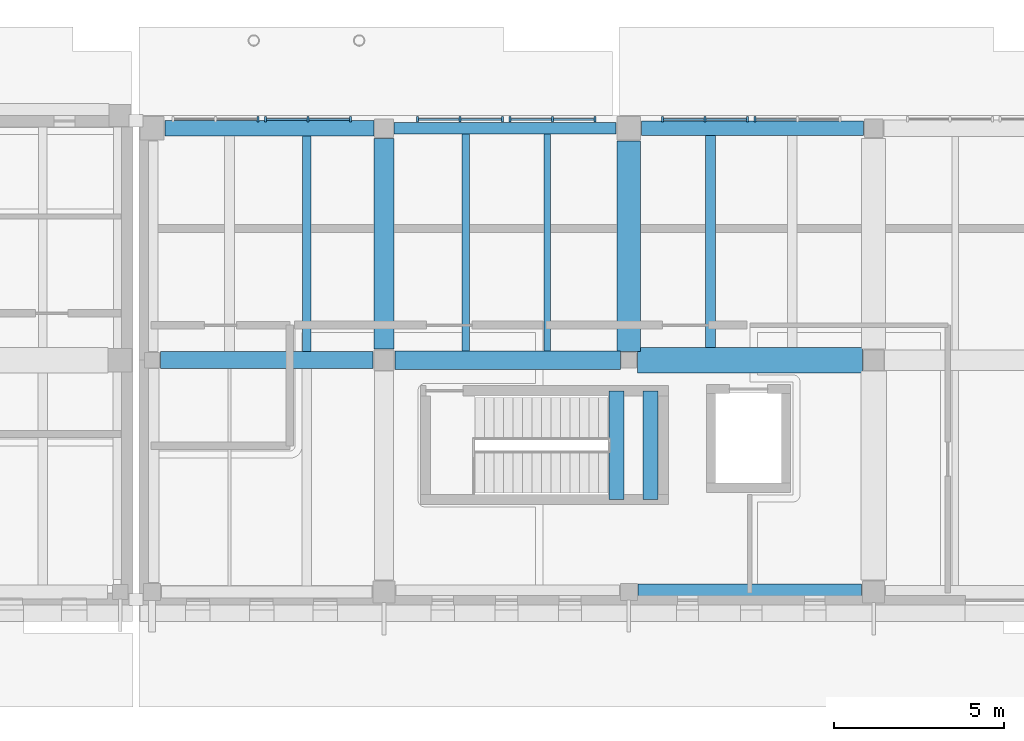
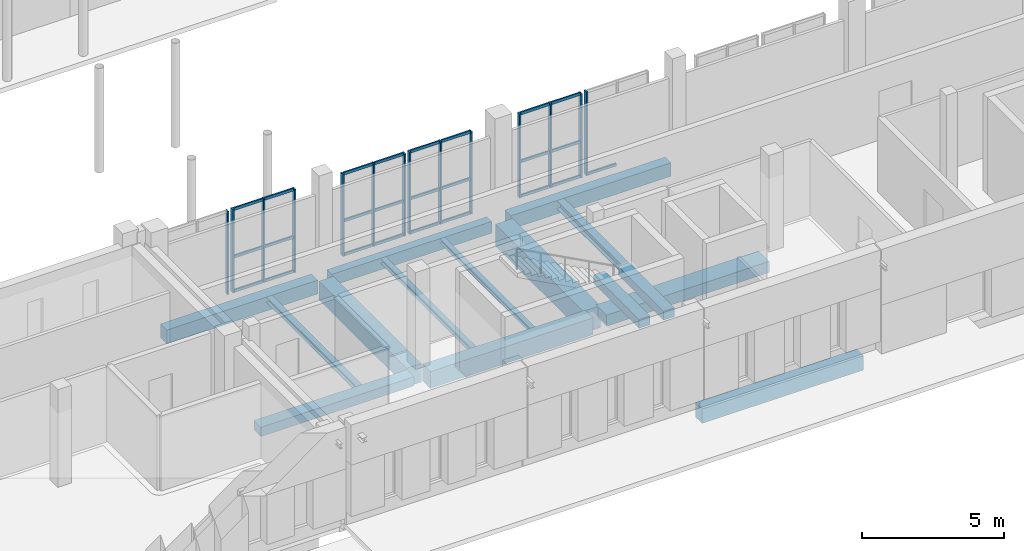
# One storey, part 10 of 77: 39 members, 15 beams, 6 elements without a shape of their own.
"""IFC4 building model written with IfcOpenShell, lengths in metres."""

from ifc_helpers import new_model, si_unit, direction, frame, origin, origin_2d, place, context, subcontext, project, spatial, rectangle, i_section, extrude, material, layer, layer_set, material_profile, profile_set, type_object, element, aggregate, save


model = new_model("IFC4")

# Units and contexts
model_context = context("Model", 3, precision=1e-05, world=origin(), true_north=direction((0.0, 1.0)))
body_context = subcontext(model_context, "Body", "Model", "MODEL_VIEW")
ifc_project = project(units=[si_unit("LENGTHUNIT", "METRE"), si_unit("AREAUNIT", "SQUARE_METRE"), si_unit("VOLUMEUNIT", "CUBIC_METRE"), si_unit("PLANEANGLEUNIT", "RADIAN"), si_unit("MASSUNIT", "GRAM", prefix="KILO")], contexts=[model_context])

# Site, building, storey
site_placement = place(None, origin())
site = spatial("IfcSite", under=ifc_project, at=site_placement, CompositionType="ELEMENT")
building_placement = place(site_placement, origin())
building = spatial("IfcBuilding", under=site, at=building_placement, Name="Vardoun Plaza Health Centre", CompositionType="ELEMENT")
storey_placement = place(building_placement, origin())
storey = spatial("IfcBuildingStorey", under=building, at=storey_placement, Name="L00", CompositionType="ELEMENT", Elevation=0.0)

# Beams
ifc_material_1 = material(Name="Concrete C35/45", Category="concrete")
ifc_material_profile_1 = material_profile(ifc_material_1, rectangle(XDim=0.35009765625, YDim=0.5, at=origin_2d()), Name="RC-BM 350x500")
ifc_profile_set_1 = profile_set([ifc_material_profile_1], Name="Concrete C35/45")
beam_type_1 = type_object("IfcBeamType", Name="B-08", PredefinedType="SPANDREL", material=ifc_profile_set_1)
beam_1_placement = place(storey_placement, frame((55.3798828125, 18.52001953125, -0.56494140625), z_axis=(1.0, 0.0, 0.0), x_axis=(0.0, 1.0, 0.0)))
element("IfcBeam", 1, at=beam_1_placement, inside=storey, type_object=beam_type_1, Name="V4 L00 Beam B-V4-L00-X06", PredefinedType="SPANDREL", context=body_context, shape_type="SweptSolid", body=[
    extrude(rectangle(XDim=0.35009765625, YDim=0.5, at=origin_2d()), origin(), (0.0, 0.0, 1.0), 6.525146484375),
])
ifc_material_2 = material(Name="Concrete C35/45", Category="concrete")
ifc_material_profile_2 = material_profile(ifc_material_2, rectangle(XDim=0.419921875, YDim=0.580078125, at=origin_2d()), Name="RC-BM 420x580")
ifc_profile_set_2 = profile_set([ifc_material_profile_2], Name="Concrete C35/45")
beam_type_2 = type_object("IfcBeamType", Name="B-10", PredefinedType="SPANDREL", material=ifc_profile_set_2)
beam_2_placement = place(storey_placement, frame((62.655029296875, 18.52001953125, -0.60498046875), z_axis=(1.0, 0.0, 0.0), x_axis=(0.0, 1.0, 0.0)))
element("IfcBeam", 2, at=beam_2_placement, inside=storey, type_object=beam_type_2, Name="V4 L00 Beam B-V4-L00-X09", PredefinedType="SPANDREL", context=body_context, shape_type="SweptSolid", body=[
    extrude(rectangle(XDim=0.419921875, YDim=0.580078125, at=origin_2d()), origin(), (0.0, 0.0, 1.0), 6.52490234375),
])
ifc_material_3 = material(Name="Concrete C35/45", Category="concrete")
ifc_material_profile_3 = material_profile(ifc_material_3, rectangle(XDim=0.449951171875, YDim=0.3798828125, at=origin_2d()), Name="RC-BM 450x380")
ifc_profile_set_3 = profile_set([ifc_material_profile_3], Name="Concrete C35/45")
beam_type_3 = type_object("IfcBeamType", Name="B-01", PredefinedType="BEAM", material=ifc_profile_set_3)
for number, where, z_axis, x_axis, name in (
    (3, (61.919921875, 7.60009765625, 1.860107421875), (0.0, 1.0, 0.0), (-1.0, 0.0, 0.0), "Stair ST-C6-L00 Landing Beam 1"),
    (4, (62.919921875, 7.60009765625, 1.860107421875), (0.0, 1.0, 0.0), (-1.0, 0.0, 0.0), "Stair ST-C6-L00 Landing Beam 2"),
):
    element("IfcBeam", number, at=place(storey_placement, frame(where, z_axis=z_axis, x_axis=x_axis)), inside=storey, type_object=beam_type_3, Name=name, PredefinedType="BEAM", context=body_context, shape_type="SweptSolid", body=[
        extrude(rectangle(XDim=0.449951171875, YDim=0.3798828125, at=origin_2d()), origin(), (0.0, 0.0, 1.0), 3.199951171875),
    ])
ifc_material_4 = material(Name="Concrete C35/45", Category="concrete")
ifc_material_profile_4 = material_profile(ifc_material_4, rectangle(XDim=0.449951171875, YDim=0.60009765625, at=origin_2d()), Name="RC-BM 450x600")
ifc_profile_set_4 = profile_set([ifc_material_profile_4], Name="Concrete C35/45")
beam_type_4 = type_object("IfcBeamType", Name="B-11", PredefinedType="SPANDREL", material=ifc_profile_set_4)
beam_3_placement = place(storey_placement, frame((48.635009765625, 18.52001953125, -0.614990234375), z_axis=(1.0, 0.0, 0.0), x_axis=(0.0, 1.0, 0.0)))
element("IfcBeam", 5, at=beam_3_placement, inside=storey, type_object=beam_type_4, Name="V4 L00 Beam B-V4-L00-X03", PredefinedType="SPANDREL", context=body_context, shape_type="SweptSolid", body=[
    extrude(rectangle(XDim=0.449951171875, YDim=0.60009765625, at=origin_2d()), origin(), (0.0, 0.0, 1.0), 6.14501953125),
])
ifc_material_5 = material(Name="Concrete C35/45", Category="concrete")
ifc_material_profile_5 = material_profile(ifc_material_5, rectangle(XDim=0.47998046875, YDim=0.6201171875, at=origin_2d()), Name="RC-BM 480x620")
ifc_profile_set_5 = profile_set([ifc_material_profile_5], Name="Concrete C35/45")
beam_type_5 = type_object("IfcBeamType", Name="B-12", PredefinedType="SPANDREL", material=ifc_profile_set_5)
beam_4_placement = place(storey_placement, frame((62.554931640625, 4.8798828125, -0.625), z_axis=(1.0, 0.0, 0.0), x_axis=(0.0, 1.0, 0.0)))
element("IfcBeam", 6, at=beam_4_placement, inside=storey, type_object=beam_type_5, Name="V4 L00 Beam B-V4-L00-X07", PredefinedType="SPANDREL", context=body_context, shape_type="SweptSolid", body=[
    extrude(rectangle(XDim=0.47998046875, YDim=0.6201171875, at=origin_2d()), origin(), (0.0, 0.0, 1.0), 6.574951171875),
])
ifc_material_6 = material(Name="Concrete C35/45", Category="concrete")
ifc_material_profile_6 = material_profile(ifc_material_6, rectangle(XDim=0.5, YDim=0.39990234375, at=origin_2d()), Name="RC-BM 500x400")
ifc_profile_set_6 = profile_set([ifc_material_profile_6], Name="Concrete C35/45")
beam_type_6 = type_object("IfcBeamType", Name="B-02", PredefinedType="BEAM", material=ifc_profile_set_6)
beam_5_placement = place(storey_placement, frame((48.510009765625, 11.699951171875, -0.514892578125), z_axis=(1.0, 0.0, 0.0), x_axis=(0.0, 1.0, 0.0)))
element("IfcBeam", 7, at=beam_5_placement, inside=storey, type_object=beam_type_6, Name="V4 L00 Beam B-V4-L00-X02", PredefinedType="BEAM", context=body_context, shape_type="SweptSolid", body=[
    extrude(rectangle(XDim=0.5, YDim=0.39990234375, at=origin_2d()), origin(), (0.0, 0.0, 1.0), 6.244873046875),
])
ifc_material_7 = material(Name="Concrete C40/50", Category="concrete")
ifc_material_profile_7 = material_profile(ifc_material_7, rectangle(XDim=0.550048828125, YDim=0.719970703125, at=origin_2d()), Name="RC-BM 550x720")
ifc_profile_set_7 = profile_set([ifc_material_profile_7], Name="Concrete C40/50")
beam_type_7 = type_object("IfcBeamType", Name="B-14", PredefinedType="BEAM", material=ifc_profile_set_7)
beam_6_placement = place(storey_placement, frame((55.405029296875, 11.699951171875, -0.675048828125), z_axis=(1.0, 0.0, 0.0), x_axis=(0.0, 1.0, 0.0)))
element("IfcBeam", 8, at=beam_6_placement, inside=storey, type_object=beam_type_7, Name="V4 L00 Beam B-V4-L00-X05", PredefinedType="BEAM", context=body_context, shape_type="SweptSolid", body=[
    extrude(rectangle(XDim=0.550048828125, YDim=0.719970703125, at=origin_2d()), origin(), (0.0, 0.0, 1.0), 6.625),
])
ifc_material_8 = material(Name="Concrete C40/50", Category="concrete")
ifc_material_profile_8 = material_profile(ifc_material_8, rectangle(XDim=0.60009765625, YDim=0.800048828125, at=origin_2d()), Name="RC-BM 600x800")
ifc_profile_set_8 = profile_set([ifc_material_profile_8], Name="Concrete C40/50")
beam_type_8 = type_object("IfcBeamType", Name="B-15", PredefinedType="JOIST", material=ifc_profile_set_8)
beam_7_placement = place(storey_placement, frame((55.080078125, 12.02490234375, -0.715087890625), z_axis=(0.0, 1.0, 0.0), x_axis=(-1.0, 0.0, 0.0)))
element("IfcBeam", 9, at=beam_7_placement, inside=storey, type_object=beam_type_8, Name="V4 L00 Beam B-V4-L00-Y28", PredefinedType="JOIST", context=body_context, shape_type="SweptSolid", body=[
    extrude(rectangle(XDim=0.60009765625, YDim=0.800048828125, at=origin_2d()), origin(), (0.0, 0.0, 1.0), 6.195068359375),
])
ifc_material_9 = material(Name="Concrete C40/50", Category="concrete")
ifc_material_profile_9 = material_profile(ifc_material_9, rectangle(XDim=0.699951171875, YDim=0.949951171875, at=origin_2d()), Name="RC-BM 700x950")
ifc_profile_set_9 = profile_set([ifc_material_profile_9], Name="Concrete C40/50")
beam_type_9 = type_object("IfcBeamType", Name="B-16", PredefinedType="LINTEL", material=ifc_profile_set_9)
beam_8_placement = place(storey_placement, frame((62.280029296875, 11.949951171875, -0.7900390625), z_axis=(0.0, 1.0, 0.0), x_axis=(-1.0, 0.0, 0.0)))
element("IfcBeam", 10, at=beam_8_placement, inside=storey, type_object=beam_type_9, Name="V4 L00 Beam B-V4-L00-Y29", PredefinedType="LINTEL", context=body_context, shape_type="SweptSolid", body=[
    extrude(rectangle(XDim=0.699951171875, YDim=0.949951171875, at=origin_2d()), origin(), (0.0, 0.0, 1.0), 6.195068359375),
])
ifc_material_10 = material(Name="Concrete C35/45", Category="concrete")
ifc_material_profile_10 = material_profile(ifc_material_10, rectangle(XDim=0.75, YDim=0.47998046875, at=origin_2d()), Name="RC-BM 750x480")
ifc_profile_set_10 = profile_set([ifc_material_profile_10], Name="Concrete C35/45")
beam_type_10 = type_object("IfcBeamType", Name="B-07", PredefinedType="BEAM", material=ifc_profile_set_10)
beam_9_placement = place(storey_placement, frame((62.530029296875, 11.699951171875, -0.554931640625), z_axis=(1.0, 0.0, 0.0), x_axis=(0.0, 1.0, 0.0)))
element("IfcBeam", 11, at=beam_9_placement, inside=storey, type_object=beam_type_10, Name="V4 L00 Beam B-V4-L00-X08", PredefinedType="BEAM", context=body_context, shape_type="SweptSolid", body=[
    extrude(rectangle(XDim=0.75, YDim=0.47998046875, at=origin_2d()), origin(), (0.0, 0.0, 1.0), 6.625),
])
ifc_material_11 = material(Name="Steel S355J2", Category="steel")
ifc_material_profile_11 = material_profile(ifc_material_11, i_section(OverallWidth=0.199951171875, OverallDepth=0.18994140625, WebThickness=0.006591796875, FlangeThickness=0.010009765625, FilletRadius=0.01806640625, at=origin_2d()), Name="HEA 200")
ifc_profile_set_11 = profile_set([ifc_material_profile_11], Name="Steel S355J2")
beam_type_11 = type_object("IfcBeamType", Name="SB-09", PredefinedType="BEAM", material=ifc_profile_set_11)
beam_10_placement = place(storey_placement, frame((59.88037109375, 11.97509765625, -0.409912109375), z_axis=(0.0, 1.0, 0.0), x_axis=(-1.0, 0.0, 0.0)))
element("IfcBeam", 12, at=beam_10_placement, inside=storey, type_object=beam_type_11, Name="V4 L00 Secondary Floor Beam SJ-V4-L00-06", PredefinedType="BEAM", context=body_context, shape_type="SweptSolid", body=[
    extrude(i_section(OverallWidth=0.199951171875, OverallDepth=0.18994140625, WebThickness=0.006591796875, FlangeThickness=0.010009765625, FilletRadius=0.01806640625, at=origin_2d()), origin(), (0.0, 0.0, 1.0), 6.369873046875),
])
ifc_material_12 = material(Name="Steel S355J2", Category="steel")
ifc_material_profile_12 = material_profile(ifc_material_12, i_section(OverallWidth=0.219970703125, OverallDepth=0.2099609375, WebThickness=0.007080078125, FlangeThickness=0.010986328125, FilletRadius=0.01806640625, at=origin_2d()), Name="HEA 220")
ifc_profile_set_12 = profile_set([ifc_material_profile_12], Name="Steel S355J2")
beam_type_12 = type_object("IfcBeamType", Name="SB-08", PredefinedType="BEAM", material=ifc_profile_set_12)
beam_11_placement = place(storey_placement, frame((57.479736328125, 11.97509765625, -0.419921875), z_axis=(0.0, 1.0, 0.0), x_axis=(-1.0, 0.0, 0.0)))
element("IfcBeam", 13, at=beam_11_placement, inside=storey, type_object=beam_type_12, Name="V4 L00 Secondary Floor Beam SJ-V4-L00-05", PredefinedType="BEAM", context=body_context, shape_type="SweptSolid", body=[
    extrude(i_section(OverallWidth=0.219970703125, OverallDepth=0.2099609375, WebThickness=0.007080078125, FlangeThickness=0.010986328125, FilletRadius=0.01806640625, at=origin_2d()), origin(), (0.0, 0.0, 1.0), 6.369873046875),
])
ifc_material_13 = material(Name="Steel S355J2", Category="steel")
ifc_material_profile_13 = material_profile(ifc_material_13, i_section(OverallWidth=0.239990234375, OverallDepth=0.22998046875, WebThickness=0.007568359375, FlangeThickness=0.011962890625, FilletRadius=0.02099609375, at=origin_2d()), Name="HEA 240")
ifc_profile_set_13 = profile_set([ifc_material_profile_13], Name="Steel S355J2")
beam_type_13 = type_object("IfcBeamType", Name="SB-07", PredefinedType="BEAM", material=ifc_profile_set_13)
beam_12_placement = place(storey_placement, frame((52.806884765625, 11.949951171875, -0.429931640625), z_axis=(0.0, 1.0, 0.0), x_axis=(-1.0, 0.0, 0.0)))
element("IfcBeam", 14, at=beam_12_placement, inside=storey, type_object=beam_type_13, Name="V4 L00 Secondary Floor Beam SJ-V4-L00-04", PredefinedType="BEAM", context=body_context, shape_type="SweptSolid", body=[
    extrude(i_section(OverallWidth=0.239990234375, OverallDepth=0.22998046875, WebThickness=0.007568359375, FlangeThickness=0.011962890625, FilletRadius=0.02099609375, at=origin_2d()), origin(), (0.0, 0.0, 1.0), 6.344970703125),
])
ifc_material_14 = material(Name="Steel S355J2", Category="steel")
ifc_material_profile_14 = material_profile(ifc_material_14, i_section(OverallWidth=0.300048828125, OverallDepth=0.360107421875, WebThickness=0.012451171875, FlangeThickness=0.0224609375, FilletRadius=0.027099609375, at=origin_2d()), Name="HEB 360")
ifc_profile_set_14 = profile_set([ifc_material_profile_14], Name="Steel S355J2")
beam_type_14 = type_object("IfcBeamType", Name="RB-04", PredefinedType="BEAM", material=ifc_profile_set_14)
beam_13_placement = place(storey_placement, frame((64.6796875, 12.074951171875, -0.4951171875), z_axis=(0.0, 1.0, 0.0), x_axis=(-1.0, 0.0, 0.0)))
element("IfcBeam", 15, at=beam_13_placement, inside=storey, type_object=beam_type_14, Name="V4 L00 Secondary Floor Beam SJ-V4-L00-07", PredefinedType="BEAM", context=body_context, shape_type="SweptSolid", body=[
    extrude(i_section(OverallWidth=0.300048828125, OverallDepth=0.360107421875, WebThickness=0.012451171875, FlangeThickness=0.0224609375, FilletRadius=0.027099609375, at=origin_2d()), origin(), (0.0, 0.0, 1.0), 6.235107421875),
])

# Curtain wall, member
ifc_material_15 = material(Name="Aluminium Alloy EN AW-6063-T6 and Low-E Glass", Category="aluminium")
ifc_layer = layer(ifc_material_15, 0.14990234375)
ifc_layer_set = layer_set([ifc_layer], Name="Aluminium Alloy EN AW-6063-T6 and Low-E Glass")
curtain_wall_type = type_object("IfcCurtainWallType", Name="CW-03", PredefinedType="NOTDEFINED", material=ifc_layer_set)
curtain_wall_1_placement = place(storey_placement, origin())
curtain_wall_1 = element("IfcCurtainWall", 16, at=curtain_wall_1_placement, inside=storey, type_object=curtain_wall_type, Name="Curtain Wall CW-V4-101", PredefinedType="NOTDEFINED")
ifc_material_16 = material(Name="Aluminium Alloy EN AW-6063-T6", Category="aluminium")
ifc_material_profile_15 = material_profile(ifc_material_16, rectangle(XDim=0.159912109375, YDim=0.06005859375, at=origin_2d()), Name="CWM 60x160")
ifc_profile_set_15 = profile_set([ifc_material_profile_15], Name="Aluminium Alloy EN AW-6063-T6")
member_type_1 = type_object("IfcMemberType", Name="CW-M1", PredefinedType="MULLION", material=ifc_profile_set_15)
member_1_placement = place(storey_placement, frame((51.3701171875, 18.780029296875, 0.0), z_axis=(0.0, 0.0, 1.0), x_axis=(0.0, 1.0, 0.0)))
member_1 = element("IfcMember", 17, at=member_1_placement, type_object=member_type_1, Name="CW-V4-101 mullion 3", PredefinedType="MULLION", context=body_context, shape_type="SweptSolid", body=[
    extrude(rectangle(XDim=0.159912109375, YDim=0.06005859375, at=origin_2d()), origin(), (0.0, 0.0, 1.0), 3.590087890625),
])
aggregate(curtain_wall_1, [member_1])

# Curtain wall, members
curtain_wall_2_placement = place(storey_placement, origin())
curtain_wall_2 = element("IfcCurtainWall", 18, at=curtain_wall_2_placement, inside=storey, type_object=curtain_wall_type, Name="Curtain Wall CW-V4-102", PredefinedType="NOTDEFINED")
member_2_placement = place(storey_placement, frame((51.590087890625, 18.780029296875, 0.0), z_axis=(0.0, 0.0, 1.0), x_axis=(0.0, 1.0, 0.0)))
member_2 = element("IfcMember", 19, at=member_2_placement, type_object=member_type_1, Name="CW-V4-102 mullion 1", PredefinedType="MULLION", context=body_context, shape_type="SweptSolid", body=[
    extrude(rectangle(XDim=0.159912109375, YDim=0.06005859375, at=origin_2d()), origin(), (0.0, 0.0, 1.0), 3.590087890625),
])
member_3_placement = place(storey_placement, frame((52.840087890625, 18.780029296875, 0.0), z_axis=(0.0, 0.0, 1.0), x_axis=(0.0, 1.0, 0.0)))
member_3 = element("IfcMember", 20, at=member_3_placement, type_object=member_type_1, Name="CW-V4-102 mullion 2", PredefinedType="MULLION", context=body_context, shape_type="SweptSolid", body=[
    extrude(rectangle(XDim=0.159912109375, YDim=0.06005859375, at=origin_2d()), origin(), (0.0, 0.0, 1.0), 3.590087890625),
])
member_4_placement = place(storey_placement, frame((54.090087890625, 18.780029296875, 0.0), z_axis=(0.0, 0.0, 1.0), x_axis=(0.0, 1.0, 0.0)))
member_4 = element("IfcMember", 21, at=member_4_placement, type_object=member_type_1, Name="CW-V4-102 mullion 3", PredefinedType="MULLION", context=body_context, shape_type="SweptSolid", body=[
    extrude(rectangle(XDim=0.159912109375, YDim=0.06005859375, at=origin_2d()), origin(), (0.0, 0.0, 1.0), 3.590087890625),
])

curtain_wall_3_placement = place(storey_placement, origin())
curtain_wall_3 = element("IfcCurtainWall", 22, at=curtain_wall_3_placement, inside=storey, type_object=curtain_wall_type, Name="Curtain Wall CW-V4-103", PredefinedType="NOTDEFINED")
member_5_placement = place(storey_placement, frame((56.070068359375, 18.780029296875, 0.0), z_axis=(0.0, 0.0, 1.0), x_axis=(0.0, 1.0, 0.0)))
member_5 = element("IfcMember", 23, at=member_5_placement, type_object=member_type_1, Name="CW-V4-103 mullion 1", PredefinedType="MULLION", context=body_context, shape_type="SweptSolid", body=[
    extrude(rectangle(XDim=0.159912109375, YDim=0.06005859375, at=origin_2d()), origin(), (0.0, 0.0, 1.0), 3.550048828125),
])
member_6_placement = place(storey_placement, frame((57.320068359375, 18.780029296875, 0.0), z_axis=(0.0, 0.0, 1.0), x_axis=(0.0, 1.0, 0.0)))
member_6 = element("IfcMember", 24, at=member_6_placement, type_object=member_type_1, Name="CW-V4-103 mullion 2", PredefinedType="MULLION", context=body_context, shape_type="SweptSolid", body=[
    extrude(rectangle(XDim=0.159912109375, YDim=0.06005859375, at=origin_2d()), origin(), (0.0, 0.0, 1.0), 3.550048828125),
])
member_7_placement = place(storey_placement, frame((58.570068359375, 18.780029296875, 0.0), z_axis=(0.0, 0.0, 1.0), x_axis=(0.0, 1.0, 0.0)))
member_7 = element("IfcMember", 25, at=member_7_placement, type_object=member_type_1, Name="CW-V4-103 mullion 3", PredefinedType="MULLION", context=body_context, shape_type="SweptSolid", body=[
    extrude(rectangle(XDim=0.159912109375, YDim=0.06005859375, at=origin_2d()), origin(), (0.0, 0.0, 1.0), 3.550048828125),
])

curtain_wall_4_placement = place(storey_placement, origin())
curtain_wall_4 = element("IfcCurtainWall", 26, at=curtain_wall_4_placement, inside=storey, type_object=curtain_wall_type, Name="Curtain Wall CW-V4-104", PredefinedType="NOTDEFINED")
member_8_placement = place(storey_placement, frame((58.7900390625, 18.780029296875, 0.0), z_axis=(0.0, 0.0, 1.0), x_axis=(0.0, 1.0, 0.0)))
member_8 = element("IfcMember", 27, at=member_8_placement, type_object=member_type_1, Name="CW-V4-104 mullion 1", PredefinedType="MULLION", context=body_context, shape_type="SweptSolid", body=[
    extrude(rectangle(XDim=0.159912109375, YDim=0.06005859375, at=origin_2d()), origin(), (0.0, 0.0, 1.0), 3.550048828125),
])
member_9_placement = place(storey_placement, frame((60.0400390625, 18.780029296875, 0.0), z_axis=(0.0, 0.0, 1.0), x_axis=(0.0, 1.0, 0.0)))
member_9 = element("IfcMember", 28, at=member_9_placement, type_object=member_type_1, Name="CW-V4-104 mullion 2", PredefinedType="MULLION", context=body_context, shape_type="SweptSolid", body=[
    extrude(rectangle(XDim=0.159912109375, YDim=0.06005859375, at=origin_2d()), origin(), (0.0, 0.0, 1.0), 3.550048828125),
])
member_10_placement = place(storey_placement, frame((61.2900390625, 18.780029296875, 0.0), z_axis=(0.0, 0.0, 1.0), x_axis=(0.0, 1.0, 0.0)))
member_10 = element("IfcMember", 29, at=member_10_placement, type_object=member_type_1, Name="CW-V4-104 mullion 3", PredefinedType="MULLION", context=body_context, shape_type="SweptSolid", body=[
    extrude(rectangle(XDim=0.159912109375, YDim=0.06005859375, at=origin_2d()), origin(), (0.0, 0.0, 1.0), 3.550048828125),
])

curtain_wall_5_placement = place(storey_placement, origin())
curtain_wall_5 = element("IfcCurtainWall", 30, at=curtain_wall_5_placement, inside=storey, type_object=curtain_wall_type, Name="Curtain Wall CW-V4-105", PredefinedType="NOTDEFINED")
member_11_placement = place(storey_placement, frame((63.27001953125, 18.780029296875, 0.0), z_axis=(0.0, 0.0, 1.0), x_axis=(0.0, 1.0, 0.0)))
member_11 = element("IfcMember", 31, at=member_11_placement, type_object=member_type_1, Name="CW-V4-105 mullion 1", PredefinedType="MULLION", context=body_context, shape_type="SweptSolid", body=[
    extrude(rectangle(XDim=0.159912109375, YDim=0.06005859375, at=origin_2d()), origin(), (0.0, 0.0, 1.0), 3.6201171875),
])
member_12_placement = place(storey_placement, frame((64.52001953125, 18.780029296875, 0.0), z_axis=(0.0, 0.0, 1.0), x_axis=(0.0, 1.0, 0.0)))
member_12 = element("IfcMember", 32, at=member_12_placement, type_object=member_type_1, Name="CW-V4-105 mullion 2", PredefinedType="MULLION", context=body_context, shape_type="SweptSolid", body=[
    extrude(rectangle(XDim=0.159912109375, YDim=0.06005859375, at=origin_2d()), origin(), (0.0, 0.0, 1.0), 3.6201171875),
])
member_13_placement = place(storey_placement, frame((65.77001953125, 18.780029296875, 0.0), z_axis=(0.0, 0.0, 1.0), x_axis=(0.0, 1.0, 0.0)))
member_13 = element("IfcMember", 33, at=member_13_placement, type_object=member_type_1, Name="CW-V4-105 mullion 3", PredefinedType="MULLION", context=body_context, shape_type="SweptSolid", body=[
    extrude(rectangle(XDim=0.159912109375, YDim=0.06005859375, at=origin_2d()), origin(), (0.0, 0.0, 1.0), 3.6201171875),
])

# Curtain wall, member
curtain_wall_6_placement = place(storey_placement, origin())
curtain_wall_6 = element("IfcCurtainWall", 34, at=curtain_wall_6_placement, inside=storey, type_object=curtain_wall_type, Name="Curtain Wall CW-V4-106", PredefinedType="NOTDEFINED")
member_14_placement = place(storey_placement, frame((65.989990234375, 18.780029296875, 0.0), z_axis=(0.0, 0.0, 1.0), x_axis=(0.0, 1.0, 0.0)))
member_14 = element("IfcMember", 35, at=member_14_placement, type_object=member_type_1, Name="CW-V4-106 mullion 1", PredefinedType="MULLION", context=body_context, shape_type="SweptSolid", body=[
    extrude(rectangle(XDim=0.159912109375, YDim=0.06005859375, at=origin_2d()), origin(), (0.0, 0.0, 1.0), 3.6201171875),
])

# Member
ifc_material_17 = material(Name="Aluminium Alloy EN AW-6063-T6", Category="aluminium")
ifc_material_profile_16 = material_profile(ifc_material_17, rectangle(XDim=0.06005859375, YDim=0.1201171875, at=origin_2d()), Name="CWT 60x120")
ifc_profile_set_16 = profile_set([ifc_material_profile_16], Name="Aluminium Alloy EN AW-6063-T6")
member_type_2 = type_object("IfcMemberType", Name="CW-T1", PredefinedType="USERDEFINED", material=ifc_profile_set_16)
member_15_placement = place(storey_placement, frame((51.6201171875, 18.780029296875, 0.030029296875), z_axis=(1.0, 0.0, 0.0), x_axis=(0.0, 1.0, 0.0)))
member_15 = element("IfcMember", 36, at=member_15_placement, type_object=member_type_2, Name="CW-V4-102 transom 1.1", ObjectType="TRANSOM", PredefinedType="USERDEFINED", context=body_context, shape_type="SweptSolid", body=[
    extrude(rectangle(XDim=0.06005859375, YDim=0.1201171875, at=origin_2d()), origin(), (0.0, 0.0, 1.0), 1.18994140625),
])

member_16_placement = place(storey_placement, frame((51.6201171875, 18.780029296875, 1.5078125), z_axis=(1.0, 0.0, 0.0), x_axis=(0.0, 1.0, 0.0)))
member_16 = element("IfcMember", 37, at=member_16_placement, type_object=member_type_2, Name="CW-V4-102 transom 1.2", ObjectType="TRANSOM", PredefinedType="USERDEFINED", context=body_context, shape_type="SweptSolid", body=[
    extrude(rectangle(XDim=0.06005859375, YDim=0.1201171875, at=origin_2d()), origin(), (0.0, 0.0, 1.0), 1.18994140625),
])

member_17_placement = place(storey_placement, frame((51.6201171875, 18.780029296875, 3.56005859375), z_axis=(1.0, 0.0, 0.0), x_axis=(0.0, 1.0, 0.0)))
member_17 = element("IfcMember", 38, at=member_17_placement, type_object=member_type_2, Name="CW-V4-102 transom 1.3", ObjectType="TRANSOM", PredefinedType="USERDEFINED", context=body_context, shape_type="SweptSolid", body=[
    extrude(rectangle(XDim=0.06005859375, YDim=0.1201171875, at=origin_2d()), origin(), (0.0, 0.0, 1.0), 1.18994140625),
])

member_18_placement = place(storey_placement, frame((52.8701171875, 18.780029296875, 0.030029296875), z_axis=(1.0, 0.0, 0.0), x_axis=(0.0, 1.0, 0.0)))
member_18 = element("IfcMember", 39, at=member_18_placement, type_object=member_type_2, Name="CW-V4-102 transom 2.1", ObjectType="TRANSOM", PredefinedType="USERDEFINED", context=body_context, shape_type="SweptSolid", body=[
    extrude(rectangle(XDim=0.06005859375, YDim=0.1201171875, at=origin_2d()), origin(), (0.0, 0.0, 1.0), 1.18994140625),
])

member_19_placement = place(storey_placement, frame((52.8701171875, 18.780029296875, 1.5078125), z_axis=(1.0, 0.0, 0.0), x_axis=(0.0, 1.0, 0.0)))
member_19 = element("IfcMember", 40, at=member_19_placement, type_object=member_type_2, Name="CW-V4-102 transom 2.2", ObjectType="TRANSOM", PredefinedType="USERDEFINED", context=body_context, shape_type="SweptSolid", body=[
    extrude(rectangle(XDim=0.06005859375, YDim=0.1201171875, at=origin_2d()), origin(), (0.0, 0.0, 1.0), 1.18994140625),
])

member_20_placement = place(storey_placement, frame((52.8701171875, 18.780029296875, 3.56005859375), z_axis=(1.0, 0.0, 0.0), x_axis=(0.0, 1.0, 0.0)))
member_20 = element("IfcMember", 41, at=member_20_placement, type_object=member_type_2, Name="CW-V4-102 transom 2.3", ObjectType="TRANSOM", PredefinedType="USERDEFINED", context=body_context, shape_type="SweptSolid", body=[
    extrude(rectangle(XDim=0.06005859375, YDim=0.1201171875, at=origin_2d()), origin(), (0.0, 0.0, 1.0), 1.18994140625),
])

aggregate(curtain_wall_2, [member_2, member_3, member_4, member_15, member_16, member_17, member_18, member_19, member_20])

member_21_placement = place(storey_placement, frame((56.10009765625, 18.780029296875, 0.030029296875), z_axis=(1.0, 0.0, 0.0), x_axis=(0.0, 1.0, 0.0)))
member_21 = element("IfcMember", 42, at=member_21_placement, type_object=member_type_2, Name="CW-V4-103 transom 1.1", ObjectType="TRANSOM", PredefinedType="USERDEFINED", context=body_context, shape_type="SweptSolid", body=[
    extrude(rectangle(XDim=0.06005859375, YDim=0.1201171875, at=origin_2d()), origin(), (0.0, 0.0, 1.0), 1.18994140625),
])

member_22_placement = place(storey_placement, frame((56.10009765625, 18.780029296875, 1.490966796875), z_axis=(1.0, 0.0, 0.0), x_axis=(0.0, 1.0, 0.0)))
member_22 = element("IfcMember", 43, at=member_22_placement, type_object=member_type_2, Name="CW-V4-103 transom 1.2", ObjectType="TRANSOM", PredefinedType="USERDEFINED", context=body_context, shape_type="SweptSolid", body=[
    extrude(rectangle(XDim=0.06005859375, YDim=0.1201171875, at=origin_2d()), origin(), (0.0, 0.0, 1.0), 1.18994140625),
])

member_23_placement = place(storey_placement, frame((56.10009765625, 18.780029296875, 3.52001953125), z_axis=(1.0, 0.0, 0.0), x_axis=(0.0, 1.0, 0.0)))
member_23 = element("IfcMember", 44, at=member_23_placement, type_object=member_type_2, Name="CW-V4-103 transom 1.3", ObjectType="TRANSOM", PredefinedType="USERDEFINED", context=body_context, shape_type="SweptSolid", body=[
    extrude(rectangle(XDim=0.06005859375, YDim=0.1201171875, at=origin_2d()), origin(), (0.0, 0.0, 1.0), 1.18994140625),
])

member_24_placement = place(storey_placement, frame((57.35009765625, 18.780029296875, 0.030029296875), z_axis=(1.0, 0.0, 0.0), x_axis=(0.0, 1.0, 0.0)))
member_24 = element("IfcMember", 45, at=member_24_placement, type_object=member_type_2, Name="CW-V4-103 transom 2.1", ObjectType="TRANSOM", PredefinedType="USERDEFINED", context=body_context, shape_type="SweptSolid", body=[
    extrude(rectangle(XDim=0.06005859375, YDim=0.1201171875, at=origin_2d()), origin(), (0.0, 0.0, 1.0), 1.18994140625),
])

member_25_placement = place(storey_placement, frame((57.35009765625, 18.780029296875, 1.490966796875), z_axis=(1.0, 0.0, 0.0), x_axis=(0.0, 1.0, 0.0)))
member_25 = element("IfcMember", 46, at=member_25_placement, type_object=member_type_2, Name="CW-V4-103 transom 2.2", ObjectType="TRANSOM", PredefinedType="USERDEFINED", context=body_context, shape_type="SweptSolid", body=[
    extrude(rectangle(XDim=0.06005859375, YDim=0.1201171875, at=origin_2d()), origin(), (0.0, 0.0, 1.0), 1.18994140625),
])

member_26_placement = place(storey_placement, frame((57.35009765625, 18.780029296875, 3.52001953125), z_axis=(1.0, 0.0, 0.0), x_axis=(0.0, 1.0, 0.0)))
member_26 = element("IfcMember", 47, at=member_26_placement, type_object=member_type_2, Name="CW-V4-103 transom 2.3", ObjectType="TRANSOM", PredefinedType="USERDEFINED", context=body_context, shape_type="SweptSolid", body=[
    extrude(rectangle(XDim=0.06005859375, YDim=0.1201171875, at=origin_2d()), origin(), (0.0, 0.0, 1.0), 1.18994140625),
])

aggregate(curtain_wall_3, [member_5, member_6, member_7, member_21, member_22, member_23, member_24, member_25, member_26])

member_27_placement = place(storey_placement, frame((58.820068359375, 18.780029296875, 0.030029296875), z_axis=(1.0, 0.0, 0.0), x_axis=(0.0, 1.0, 0.0)))
member_27 = element("IfcMember", 48, at=member_27_placement, type_object=member_type_2, Name="CW-V4-104 transom 1.1", ObjectType="TRANSOM", PredefinedType="USERDEFINED", context=body_context, shape_type="SweptSolid", body=[
    extrude(rectangle(XDim=0.06005859375, YDim=0.1201171875, at=origin_2d()), origin(), (0.0, 0.0, 1.0), 1.18994140625),
])

member_28_placement = place(storey_placement, frame((58.820068359375, 18.780029296875, 1.490966796875), z_axis=(1.0, 0.0, 0.0), x_axis=(0.0, 1.0, 0.0)))
member_28 = element("IfcMember", 49, at=member_28_placement, type_object=member_type_2, Name="CW-V4-104 transom 1.2", ObjectType="TRANSOM", PredefinedType="USERDEFINED", context=body_context, shape_type="SweptSolid", body=[
    extrude(rectangle(XDim=0.06005859375, YDim=0.1201171875, at=origin_2d()), origin(), (0.0, 0.0, 1.0), 1.18994140625),
])

member_29_placement = place(storey_placement, frame((58.820068359375, 18.780029296875, 3.52001953125), z_axis=(1.0, 0.0, 0.0), x_axis=(0.0, 1.0, 0.0)))
member_29 = element("IfcMember", 50, at=member_29_placement, type_object=member_type_2, Name="CW-V4-104 transom 1.3", ObjectType="TRANSOM", PredefinedType="USERDEFINED", context=body_context, shape_type="SweptSolid", body=[
    extrude(rectangle(XDim=0.06005859375, YDim=0.1201171875, at=origin_2d()), origin(), (0.0, 0.0, 1.0), 1.18994140625),
])

member_30_placement = place(storey_placement, frame((60.070068359375, 18.780029296875, 0.030029296875), z_axis=(1.0, 0.0, 0.0), x_axis=(0.0, 1.0, 0.0)))
member_30 = element("IfcMember", 51, at=member_30_placement, type_object=member_type_2, Name="CW-V4-104 transom 2.1", ObjectType="TRANSOM", PredefinedType="USERDEFINED", context=body_context, shape_type="SweptSolid", body=[
    extrude(rectangle(XDim=0.06005859375, YDim=0.1201171875, at=origin_2d()), origin(), (0.0, 0.0, 1.0), 1.18994140625),
])

member_31_placement = place(storey_placement, frame((60.070068359375, 18.780029296875, 1.490966796875), z_axis=(1.0, 0.0, 0.0), x_axis=(0.0, 1.0, 0.0)))
member_31 = element("IfcMember", 52, at=member_31_placement, type_object=member_type_2, Name="CW-V4-104 transom 2.2", ObjectType="TRANSOM", PredefinedType="USERDEFINED", context=body_context, shape_type="SweptSolid", body=[
    extrude(rectangle(XDim=0.06005859375, YDim=0.1201171875, at=origin_2d()), origin(), (0.0, 0.0, 1.0), 1.18994140625),
])

member_32_placement = place(storey_placement, frame((60.070068359375, 18.780029296875, 3.52001953125), z_axis=(1.0, 0.0, 0.0), x_axis=(0.0, 1.0, 0.0)))
member_32 = element("IfcMember", 53, at=member_32_placement, type_object=member_type_2, Name="CW-V4-104 transom 2.3", ObjectType="TRANSOM", PredefinedType="USERDEFINED", context=body_context, shape_type="SweptSolid", body=[
    extrude(rectangle(XDim=0.06005859375, YDim=0.1201171875, at=origin_2d()), origin(), (0.0, 0.0, 1.0), 1.18994140625),
])

aggregate(curtain_wall_4, [member_8, member_9, member_10, member_27, member_28, member_29, member_30, member_31, member_32])

member_33_placement = place(storey_placement, frame((63.300048828125, 18.780029296875, 0.030029296875), z_axis=(1.0, 0.0, 0.0), x_axis=(0.0, 1.0, 0.0)))
member_33 = element("IfcMember", 54, at=member_33_placement, type_object=member_type_2, Name="CW-V4-105 transom 1.1", ObjectType="TRANSOM", PredefinedType="USERDEFINED", context=body_context, shape_type="SweptSolid", body=[
    extrude(rectangle(XDim=0.06005859375, YDim=0.1201171875, at=origin_2d()), origin(), (0.0, 0.0, 1.0), 1.18994140625),
])

member_34_placement = place(storey_placement, frame((63.300048828125, 18.780029296875, 1.5205078125), z_axis=(1.0, 0.0, 0.0), x_axis=(0.0, 1.0, 0.0)))
member_34 = element("IfcMember", 55, at=member_34_placement, type_object=member_type_2, Name="CW-V4-105 transom 1.2", ObjectType="TRANSOM", PredefinedType="USERDEFINED", context=body_context, shape_type="SweptSolid", body=[
    extrude(rectangle(XDim=0.06005859375, YDim=0.1201171875, at=origin_2d()), origin(), (0.0, 0.0, 1.0), 1.18994140625),
])

member_35_placement = place(storey_placement, frame((63.300048828125, 18.780029296875, 3.590087890625), z_axis=(1.0, 0.0, 0.0), x_axis=(0.0, 1.0, 0.0)))
member_35 = element("IfcMember", 56, at=member_35_placement, type_object=member_type_2, Name="CW-V4-105 transom 1.3", ObjectType="TRANSOM", PredefinedType="USERDEFINED", context=body_context, shape_type="SweptSolid", body=[
    extrude(rectangle(XDim=0.06005859375, YDim=0.1201171875, at=origin_2d()), origin(), (0.0, 0.0, 1.0), 1.18994140625),
])

member_36_placement = place(storey_placement, frame((64.550048828125, 18.780029296875, 0.030029296875), z_axis=(1.0, 0.0, 0.0), x_axis=(0.0, 1.0, 0.0)))
member_36 = element("IfcMember", 57, at=member_36_placement, type_object=member_type_2, Name="CW-V4-105 transom 2.1", ObjectType="TRANSOM", PredefinedType="USERDEFINED", context=body_context, shape_type="SweptSolid", body=[
    extrude(rectangle(XDim=0.06005859375, YDim=0.1201171875, at=origin_2d()), origin(), (0.0, 0.0, 1.0), 1.18994140625),
])

member_37_placement = place(storey_placement, frame((64.550048828125, 18.780029296875, 1.5205078125), z_axis=(1.0, 0.0, 0.0), x_axis=(0.0, 1.0, 0.0)))
member_37 = element("IfcMember", 58, at=member_37_placement, type_object=member_type_2, Name="CW-V4-105 transom 2.2", ObjectType="TRANSOM", PredefinedType="USERDEFINED", context=body_context, shape_type="SweptSolid", body=[
    extrude(rectangle(XDim=0.06005859375, YDim=0.1201171875, at=origin_2d()), origin(), (0.0, 0.0, 1.0), 1.18994140625),
])

member_38_placement = place(storey_placement, frame((64.550048828125, 18.780029296875, 3.590087890625), z_axis=(1.0, 0.0, 0.0), x_axis=(0.0, 1.0, 0.0)))
member_38 = element("IfcMember", 59, at=member_38_placement, type_object=member_type_2, Name="CW-V4-105 transom 2.3", ObjectType="TRANSOM", PredefinedType="USERDEFINED", context=body_context, shape_type="SweptSolid", body=[
    extrude(rectangle(XDim=0.06005859375, YDim=0.1201171875, at=origin_2d()), origin(), (0.0, 0.0, 1.0), 1.18994140625),
])

aggregate(curtain_wall_5, [member_11, member_12, member_13, member_33, member_34, member_35, member_36, member_37, member_38])

member_39_placement = place(storey_placement, frame((66.02001953125, 18.780029296875, 0.030029296875), z_axis=(1.0, 0.0, 0.0), x_axis=(0.0, 1.0, 0.0)))
member_39 = element("IfcMember", 60, at=member_39_placement, type_object=member_type_2, Name="CW-V4-106 transom 1.1", ObjectType="TRANSOM", PredefinedType="USERDEFINED", context=body_context, shape_type="SweptSolid", body=[
    extrude(rectangle(XDim=0.06005859375, YDim=0.1201171875, at=origin_2d()), origin(), (0.0, 0.0, 1.0), 1.18994140625),
])

aggregate(curtain_wall_6, [member_14, member_39])

save(model, "model.ifc")
